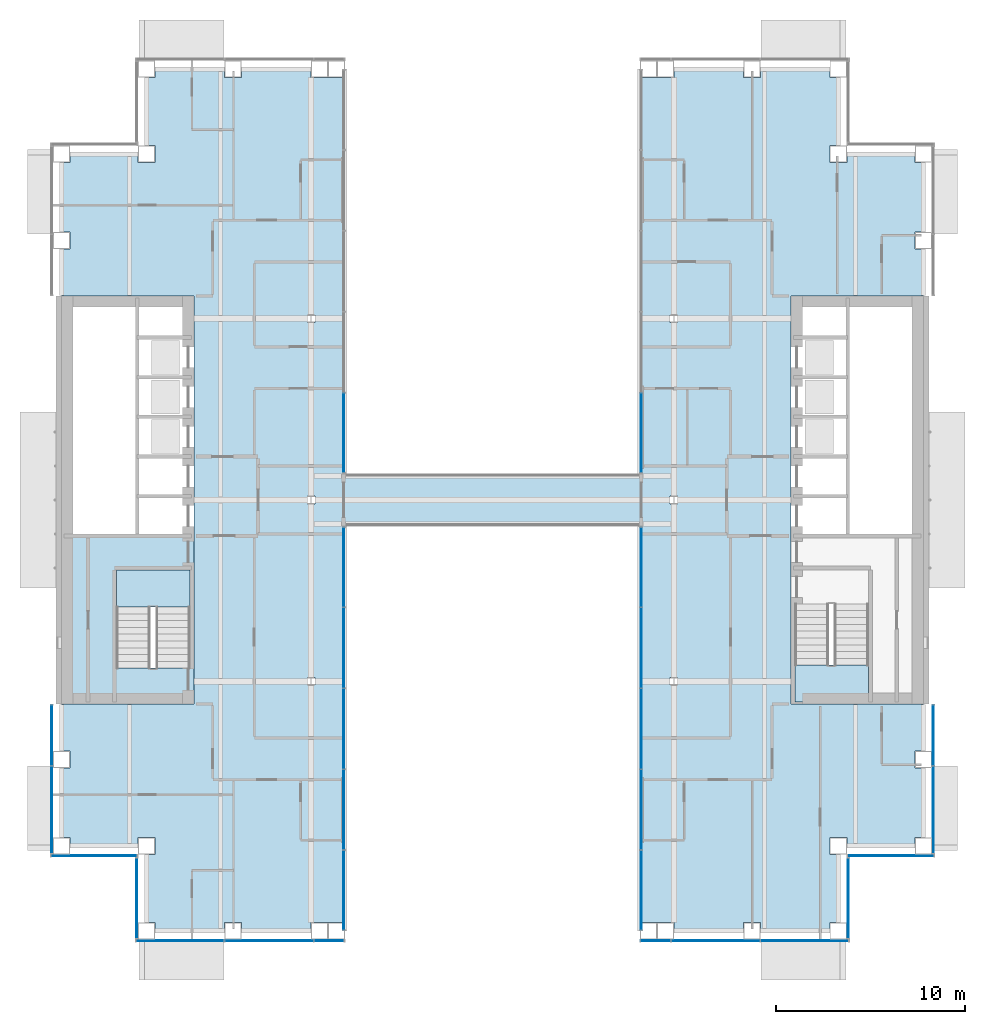
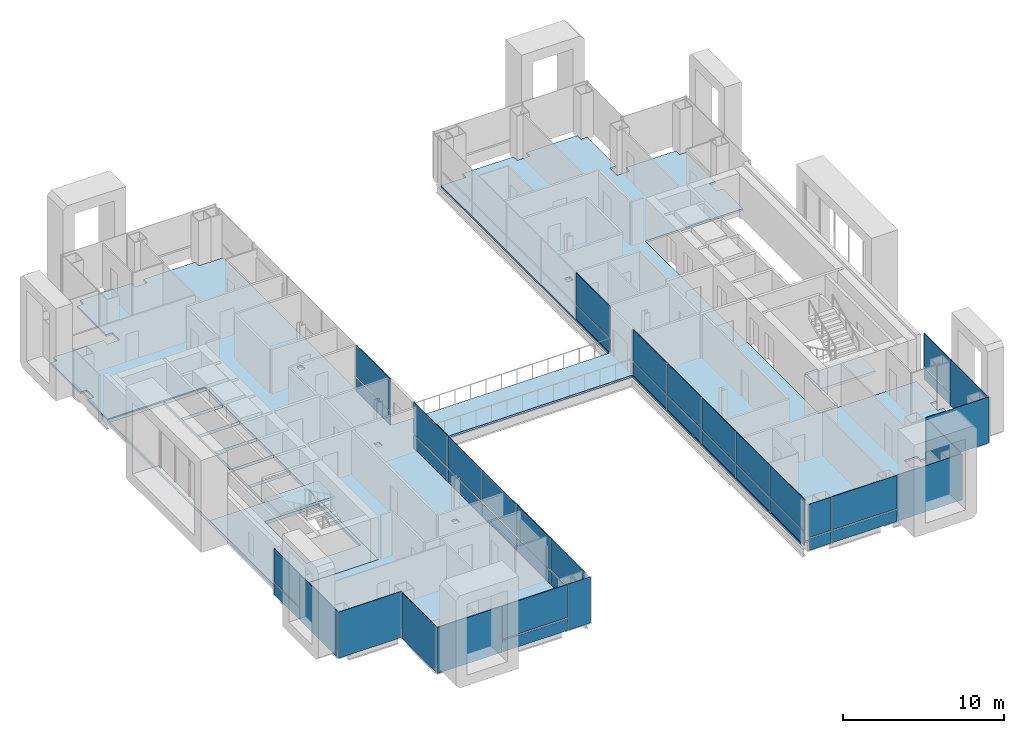
# One storey, part 10 of 20: 43 plates, 4 slabs, 14 elements without a shape of their own.
"""IFC4 building model written with IfcOpenShell, lengths in metres."""

from ifc_helpers import new_model, si_unit, direction, frame, origin, origin_2d, place, context, subcontext, project, spatial, polyline, rectangle, outline, extrude, material, layer, layer_set, type_object, element, aggregate, save


model = new_model("IFC4")

# Units and contexts
model_context = context("Model", 3, precision=1e-05, world=origin(), true_north=direction((0.0, 1.0)))
body_context = subcontext(model_context, "Body", "Model", "MODEL_VIEW")
ifc_project = project(units=[si_unit("LENGTHUNIT", "METRE"), si_unit("AREAUNIT", "SQUARE_METRE"), si_unit("VOLUMEUNIT", "CUBIC_METRE"), si_unit("PLANEANGLEUNIT", "RADIAN"), si_unit("MASSUNIT", "GRAM", prefix="KILO")], contexts=[model_context])

# Site, building, storey
site_placement = place(None, origin())
site = spatial("IfcSite", under=ifc_project, at=site_placement, CompositionType="ELEMENT")
building_placement = place(site_placement, origin())
building = spatial("IfcBuilding", under=site, at=building_placement, Name="Cobrizo Arcos Hotel Tower", CompositionType="ELEMENT")
storey_placement = place(building_placement, frame((0.0, 0.0, 124.0)))
storey = spatial("IfcBuildingStorey", under=building, at=storey_placement, Name="L31", CompositionType="ELEMENT", Elevation=124.0)

# Curtain wall, plate
ifc_material_1 = material(Name="Aluminium 6063-T6 anodised bronze", Category="aluminium")
curtain_wall_type_1 = type_object("IfcCurtainWallType", Name="CW-A guest facade", PredefinedType="NOTDEFINED", material=ifc_material_1)
curtain_wall_1_placement = place(storey_placement, origin())
curtain_wall_1 = element("IfcCurtainWall", 1, at=curtain_wall_1_placement, inside=storey, type_object=curtain_wall_type_1, Name="CW-A L31 S face", PredefinedType="NOTDEFINED")
ifc_material_2 = material(Name="Glass clear laminated low-e", Category="glass")
ifc_layer_1 = layer(ifc_material_2, 0.0400390625)
ifc_layer_set_1 = layer_set([ifc_layer_1], Name="CW-A glass panel")
plate_type_1 = type_object("IfcPlateType", Name="CW-A glass panel", PredefinedType="CURTAIN_PANEL", material=ifc_layer_set_1)
plate_1_placement = place(storey_placement, frame((-11.8125, -23.324951171875, 0.990234375), z_axis=(0.0, 0.0, 1.0), x_axis=(1.0, 0.0, 0.0)))
plate_1 = element("IfcPlate", 2, at=plate_1_placement, type_object=plate_type_1, Name="CW-A glass panel 1164", PredefinedType="CURTAIN_PANEL", context=body_context, shape_type="SweptSolid", body=[
    extrude(rectangle(XDim=4.6650390625, YDim=0.0400390625, at=origin_2d()), origin(), (0.0, 0.0, 1.0), 2.510009765625),
])

# Curtain wall, plates
curtain_wall_2_placement = place(storey_placement, origin())
curtain_wall_2 = element("IfcCurtainWall", 3, at=curtain_wall_2_placement, inside=storey, type_object=curtain_wall_type_1, Name="CW-A L31 S face", PredefinedType="NOTDEFINED")
plate_2_placement = place(storey_placement, frame((8.639892578125, -23.324951171875, 0.990234375), z_axis=(0.0, 0.0, 1.0), x_axis=(1.0, 0.0, 0.0)))
plate_2 = element("IfcPlate", 4, at=plate_2_placement, type_object=plate_type_1, Name="CW-A glass panel 1166", PredefinedType="CURTAIN_PANEL", context=body_context, shape_type="SweptSolid", body=[
    extrude(rectangle(XDim=1.56005859375, YDim=0.0400390625, at=origin_2d()), origin(), (0.0, 0.0, 1.0), 2.510009765625),
])
plate_3_placement = place(storey_placement, frame((11.8125, -23.324951171875, 0.990234375), z_axis=(0.0, 0.0, 1.0), x_axis=(1.0, 0.0, 0.0)))
plate_3 = element("IfcPlate", 5, at=plate_3_placement, type_object=plate_type_1, Name="CW-A glass panel 1167", PredefinedType="CURTAIN_PANEL", context=body_context, shape_type="SweptSolid", body=[
    extrude(rectangle(XDim=4.6650390625, YDim=0.0400390625, at=origin_2d()), origin(), (0.0, 0.0, 1.0), 2.510009765625),
])

# Curtain wall, plate
curtain_wall_3_placement = place(storey_placement, origin())
curtain_wall_3 = element("IfcCurtainWall", 6, at=curtain_wall_3_placement, inside=storey, type_object=curtain_wall_type_1, Name="CW-A L31 E face", PredefinedType="NOTDEFINED")
plate_4_placement = place(storey_placement, frame((23.324951171875, -12.4462890625, 0.990234375), z_axis=(0.0, 0.0, 1.0), x_axis=(0.0, 1.0, 0.0)))
plate_4 = element("IfcPlate", 7, at=plate_4_placement, type_object=plate_type_1, Name="CW-A glass panel 1172", PredefinedType="CURTAIN_PANEL", context=body_context, shape_type="SweptSolid", body=[
    extrude(rectangle(XDim=3.172607421875, YDim=0.0400390625, at=origin_2d()), origin(), (0.0, 0.0, 1.0), 2.510009765625),
])

curtain_wall_4_placement = place(storey_placement, origin())
curtain_wall_4 = element("IfcCurtainWall", 8, at=curtain_wall_4_placement, inside=storey, type_object=curtain_wall_type_1, Name="CW-A L31 W face", PredefinedType="NOTDEFINED")
plate_5_placement = place(storey_placement, frame((-23.324951171875, -12.4462890625, 0.990234375), z_axis=(0.0, 0.0, 1.0), x_axis=(0.0, -1.0, 0.0)))
plate_5 = element("IfcPlate", 9, at=plate_5_placement, type_object=plate_type_1, Name="CW-A glass panel 1187", PredefinedType="CURTAIN_PANEL", context=body_context, shape_type="SweptSolid", body=[
    extrude(rectangle(XDim=3.172607421875, YDim=0.0400390625, at=origin_2d()), origin(), (0.0, 0.0, 1.0), 2.510009765625),
])

# Plate
ifc_material_3 = material(Name="Aluminium composite panel pale metal", Category="aluminium")
ifc_layer_2 = layer(ifc_material_3, 0.0400390625)
ifc_layer_set_2 = layer_set([ifc_layer_2], Name="CW-A spandrel panel")
plate_type_2 = type_object("IfcPlateType", Name="CW-A spandrel panel", PredefinedType="CURTAIN_PANEL", material=ifc_layer_set_2)
plate_6_placement = place(storey_placement, frame((-16.5224609375, -23.324951171875, 0.0), z_axis=(0.0, 0.0, 1.0), x_axis=(1.0, 0.0, 0.0)))
plate_6 = element("IfcPlate", 10, at=plate_6_placement, type_object=plate_type_2, Name="CW-A spandrel panel 1163", PredefinedType="CURTAIN_PANEL", context=body_context, shape_type="SweptSolid", body=[
    extrude(rectangle(XDim=4.635009765625, YDim=0.0400390625, at=origin_2d()), origin(), (0.0, 0.0, 1.0), 3.5),
])

plate_7_placement = place(storey_placement, frame((-11.8125, -23.324951171875, 0.0), z_axis=(0.0, 0.0, 1.0), x_axis=(1.0, 0.0, 0.0)))
plate_7 = element("IfcPlate", 11, at=plate_7_placement, type_object=plate_type_2, Name="CW-A spandrel panel 1164", PredefinedType="CURTAIN_PANEL", context=body_context, shape_type="SweptSolid", body=[
    extrude(rectangle(XDim=4.6650390625, YDim=0.0400390625, at=origin_2d()), origin(), (0.0, 0.0, 1.0), 0.8701171875),
])

plate_8_placement = place(storey_placement, frame((-8.639892578125, -23.324951171875, 0.0), z_axis=(0.0, 0.0, 1.0), x_axis=(1.0, 0.0, 0.0)))
plate_8 = element("IfcPlate", 12, at=plate_8_placement, type_object=plate_type_2, Name="CW-A spandrel panel 1165", PredefinedType="CURTAIN_PANEL", context=body_context, shape_type="SweptSolid", body=[
    extrude(rectangle(XDim=1.56005859375, YDim=0.0400390625, at=origin_2d()), origin(), (0.0, 0.0, 1.0), 3.5),
])

aggregate(curtain_wall_1, [plate_6, plate_7, plate_1, plate_8])

plate_9_placement = place(storey_placement, frame((8.639892578125, -23.324951171875, 0.0), z_axis=(0.0, 0.0, 1.0), x_axis=(1.0, 0.0, 0.0)))
plate_9 = element("IfcPlate", 13, at=plate_9_placement, type_object=plate_type_2, Name="CW-A spandrel panel 1166", PredefinedType="CURTAIN_PANEL", context=body_context, shape_type="SweptSolid", body=[
    extrude(rectangle(XDim=1.56005859375, YDim=0.0400390625, at=origin_2d()), origin(), (0.0, 0.0, 1.0), 0.8701171875),
])

plate_10_placement = place(storey_placement, frame((11.8125, -23.324951171875, 0.0), z_axis=(0.0, 0.0, 1.0), x_axis=(1.0, 0.0, 0.0)))
plate_10 = element("IfcPlate", 14, at=plate_10_placement, type_object=plate_type_2, Name="CW-A spandrel panel 1167", PredefinedType="CURTAIN_PANEL", context=body_context, shape_type="SweptSolid", body=[
    extrude(rectangle(XDim=4.6650390625, YDim=0.0400390625, at=origin_2d()), origin(), (0.0, 0.0, 1.0), 0.8701171875),
])

plate_11_placement = place(storey_placement, frame((16.5224609375, -23.324951171875, 0.0), z_axis=(0.0, 0.0, 1.0), x_axis=(1.0, 0.0, 0.0)))
plate_11 = element("IfcPlate", 15, at=plate_11_placement, type_object=plate_type_2, Name="CW-A spandrel panel 1168", PredefinedType="CURTAIN_PANEL", context=body_context, shape_type="SweptSolid", body=[
    extrude(rectangle(XDim=4.635009765625, YDim=0.0400390625, at=origin_2d()), origin(), (0.0, 0.0, 1.0), 3.5),
])

aggregate(curtain_wall_2, [plate_9, plate_2, plate_10, plate_3, plate_11])

# Curtain wall, plate
curtain_wall_5_placement = place(storey_placement, origin())
curtain_wall_5 = element("IfcCurtainWall", 16, at=curtain_wall_5_placement, inside=storey, type_object=curtain_wall_type_1, Name="CW-A L31 E face", PredefinedType="NOTDEFINED")
plate_12_placement = place(storey_placement, frame((18.824951171875, -21.074951171875, 0.0), z_axis=(0.0, 0.0, 1.0), x_axis=(0.0, 1.0, 0.0)))
plate_12 = element("IfcPlate", 17, at=plate_12_placement, type_object=plate_type_2, Name="CW-A spandrel panel 1169", PredefinedType="CURTAIN_PANEL", context=body_context, shape_type="SweptSolid", body=[
    extrude(rectangle(XDim=4.22998046875, YDim=0.0400390625, at=origin_2d()), origin(), (0.0, 0.0, 1.0), 3.5),
])
aggregate(curtain_wall_5, [plate_12])

curtain_wall_6_placement = place(storey_placement, origin())
curtain_wall_6 = element("IfcCurtainWall", 18, at=curtain_wall_6_placement, inside=storey, type_object=curtain_wall_type_1, Name="CW-A L31 S face", PredefinedType="NOTDEFINED")
plate_13_placement = place(storey_placement, frame((21.074951171875, -18.824951171875, 0.0), z_axis=(0.0, 0.0, 1.0), x_axis=(1.0, 0.0, 0.0)))
plate_13 = element("IfcPlate", 19, at=plate_13_placement, type_object=plate_type_2, Name="CW-A spandrel panel 1170", PredefinedType="CURTAIN_PANEL", context=body_context, shape_type="SweptSolid", body=[
    extrude(rectangle(XDim=4.530029296875, YDim=0.0400390625, at=origin_2d()), origin(), (0.0, 0.0, 1.0), 3.5),
])
aggregate(curtain_wall_6, [plate_13])

# Plate
plate_14_placement = place(storey_placement, frame((23.324951171875, -16.391357421875, 0.0), z_axis=(0.0, 0.0, 1.0), x_axis=(0.0, 1.0, 0.0)))
plate_14 = element("IfcPlate", 20, at=plate_14_placement, type_object=plate_type_2, Name="CW-A spandrel panel 1171", PredefinedType="CURTAIN_PANEL", context=body_context, shape_type="SweptSolid", body=[
    extrude(rectangle(XDim=4.597412109375, YDim=0.0400390625, at=origin_2d()), origin(), (0.0, 0.0, 1.0), 3.5),
])

plate_15_placement = place(storey_placement, frame((23.324951171875, -12.4462890625, 0.0), z_axis=(0.0, 0.0, 1.0), x_axis=(0.0, 1.0, 0.0)))
plate_15 = element("IfcPlate", 21, at=plate_15_placement, type_object=plate_type_2, Name="CW-A spandrel panel 1172", PredefinedType="CURTAIN_PANEL", context=body_context, shape_type="SweptSolid", body=[
    extrude(rectangle(XDim=3.172607421875, YDim=0.0400390625, at=origin_2d()), origin(), (0.0, 0.0, 1.0), 0.8701171875),
])

aggregate(curtain_wall_3, [plate_14, plate_15, plate_4])

plate_16_placement = place(storey_placement, frame((-23.324951171875, -12.4462890625, 0.0), z_axis=(0.0, 0.0, 1.0), x_axis=(0.0, -1.0, 0.0)))
plate_16 = element("IfcPlate", 22, at=plate_16_placement, type_object=plate_type_2, Name="CW-A spandrel panel 1187", PredefinedType="CURTAIN_PANEL", context=body_context, shape_type="SweptSolid", body=[
    extrude(rectangle(XDim=3.172607421875, YDim=0.0400390625, at=origin_2d()), origin(), (0.0, 0.0, 1.0), 0.8701171875),
])

plate_17_placement = place(storey_placement, frame((-23.324951171875, -16.391357421875, 0.0), z_axis=(0.0, 0.0, 1.0), x_axis=(0.0, -1.0, 0.0)))
plate_17 = element("IfcPlate", 23, at=plate_17_placement, type_object=plate_type_2, Name="CW-A spandrel panel 1188", PredefinedType="CURTAIN_PANEL", context=body_context, shape_type="SweptSolid", body=[
    extrude(rectangle(XDim=4.597412109375, YDim=0.0400390625, at=origin_2d()), origin(), (0.0, 0.0, 1.0), 3.5),
])

aggregate(curtain_wall_4, [plate_16, plate_5, plate_17])

# Curtain wall, plate
curtain_wall_7_placement = place(storey_placement, origin())
curtain_wall_7 = element("IfcCurtainWall", 24, at=curtain_wall_7_placement, inside=storey, type_object=curtain_wall_type_1, Name="CW-A L31 S face", PredefinedType="NOTDEFINED")
plate_18_placement = place(storey_placement, frame((-21.074951171875, -18.824951171875, 0.0), z_axis=(0.0, 0.0, 1.0), x_axis=(1.0, 0.0, 0.0)))
plate_18 = element("IfcPlate", 25, at=plate_18_placement, type_object=plate_type_2, Name="CW-A spandrel panel 1189", PredefinedType="CURTAIN_PANEL", context=body_context, shape_type="SweptSolid", body=[
    extrude(rectangle(XDim=4.530029296875, YDim=0.0400390625, at=origin_2d()), origin(), (0.0, 0.0, 1.0), 3.5),
])
aggregate(curtain_wall_7, [plate_18])

curtain_wall_8_placement = place(storey_placement, origin())
curtain_wall_8 = element("IfcCurtainWall", 26, at=curtain_wall_8_placement, inside=storey, type_object=curtain_wall_type_1, Name="CW-A L31 W face", PredefinedType="NOTDEFINED")
plate_19_placement = place(storey_placement, frame((-18.824951171875, -21.074951171875, 0.0), z_axis=(0.0, 0.0, 1.0), x_axis=(0.0, -1.0, 0.0)))
plate_19 = element("IfcPlate", 27, at=plate_19_placement, type_object=plate_type_2, Name="CW-A spandrel panel 1190", PredefinedType="CURTAIN_PANEL", context=body_context, shape_type="SweptSolid", body=[
    extrude(rectangle(XDim=4.22998046875, YDim=0.0400390625, at=origin_2d()), origin(), (0.0, 0.0, 1.0), 3.5),
])
aggregate(curtain_wall_8, [plate_19])

# Curtain wall, plates
curtain_wall_type_2 = type_object("IfcCurtainWallType", Name="CW-F void screen", PredefinedType="NOTDEFINED", material=ifc_material_1)
curtain_wall_9_placement = place(storey_placement, origin())
curtain_wall_9 = element("IfcCurtainWall", 28, at=curtain_wall_9_placement, inside=storey, type_object=curtain_wall_type_2, Name="CW-F L31 void screen B", PredefinedType="NOTDEFINED")
ifc_layer_3 = layer(ifc_material_2, 0.0400390625)
ifc_layer_set_3 = layer_set([ifc_layer_3], Name="CW-F glass panel")
plate_type_3 = type_object("IfcPlateType", Name="CW-F glass panel", PredefinedType="CURTAIN_PANEL", material=ifc_layer_set_3)
plate_20_placement = place(storey_placement, frame((7.875, -20.64501953125, 0.0), z_axis=(0.0, 0.0, 1.0), x_axis=(0.0, 1.0, 0.0)))
plate_20 = element("IfcPlate", 29, at=plate_20_placement, type_object=plate_type_3, Name="CW-F glass panel 2606", PredefinedType="CURTAIN_PANEL", context=body_context, shape_type="SweptSolid", body=[
    extrude(rectangle(XDim=4.18994140625, YDim=0.0400390625, at=origin_2d()), origin(), (0.0, 0.0, 1.0), 0.989990234375),
])
plate_21_placement = place(storey_placement, frame((7.875, -20.64501953125, 1.10986328125), z_axis=(0.0, 0.0, 1.0), x_axis=(0.0, 1.0, 0.0)))
plate_21 = element("IfcPlate", 30, at=plate_21_placement, type_object=plate_type_3, Name="CW-F glass panel 2606", PredefinedType="CURTAIN_PANEL", context=body_context, shape_type="SweptSolid", body=[
    extrude(rectangle(XDim=4.18994140625, YDim=0.0400390625, at=origin_2d()), origin(), (0.0, 0.0, 1.0), 2.389892578125),
])
plate_22_placement = place(storey_placement, frame((7.875, -16.3798828125, 0.0), z_axis=(0.0, 0.0, 1.0), x_axis=(0.0, 1.0, 0.0)))
plate_22 = element("IfcPlate", 31, at=plate_22_placement, type_object=plate_type_3, Name="CW-F glass panel 2607", PredefinedType="CURTAIN_PANEL", context=body_context, shape_type="SweptSolid", body=[
    extrude(rectangle(XDim=4.219970703125, YDim=0.0400390625, at=origin_2d()), origin(), (0.0, 0.0, 1.0), 0.989990234375),
])
plate_23_placement = place(storey_placement, frame((7.875, -16.3798828125, 1.10986328125), z_axis=(0.0, 0.0, 1.0), x_axis=(0.0, 1.0, 0.0)))
plate_23 = element("IfcPlate", 32, at=plate_23_placement, type_object=plate_type_3, Name="CW-F glass panel 2607", PredefinedType="CURTAIN_PANEL", context=body_context, shape_type="SweptSolid", body=[
    extrude(rectangle(XDim=4.219970703125, YDim=0.0400390625, at=origin_2d()), origin(), (0.0, 0.0, 1.0), 2.389892578125),
])
plate_24_placement = place(storey_placement, frame((7.875, -12.10009765625, 0.0), z_axis=(0.0, 0.0, 1.0), x_axis=(0.0, 1.0, 0.0)))
plate_24 = element("IfcPlate", 33, at=plate_24_placement, type_object=plate_type_3, Name="CW-F glass panel 2608", PredefinedType="CURTAIN_PANEL", context=body_context, shape_type="SweptSolid", body=[
    extrude(rectangle(XDim=4.219970703125, YDim=0.0400390625, at=origin_2d()), origin(), (0.0, 0.0, 1.0), 0.989990234375),
])
plate_25_placement = place(storey_placement, frame((7.875, -12.10009765625, 1.10986328125), z_axis=(0.0, 0.0, 1.0), x_axis=(0.0, 1.0, 0.0)))
plate_25 = element("IfcPlate", 34, at=plate_25_placement, type_object=plate_type_3, Name="CW-F glass panel 2608", PredefinedType="CURTAIN_PANEL", context=body_context, shape_type="SweptSolid", body=[
    extrude(rectangle(XDim=4.219970703125, YDim=0.0400390625, at=origin_2d()), origin(), (0.0, 0.0, 1.0), 2.389892578125),
])
plate_26_placement = place(storey_placement, frame((7.875, -7.820068359375, 0.0), z_axis=(0.0, 0.0, 1.0), x_axis=(0.0, 1.0, 0.0)))
plate_26 = element("IfcPlate", 35, at=plate_26_placement, type_object=plate_type_3, Name="CW-F glass panel 2609", PredefinedType="CURTAIN_PANEL", context=body_context, shape_type="SweptSolid", body=[
    extrude(rectangle(XDim=4.219970703125, YDim=0.0400390625, at=origin_2d()), origin(), (0.0, 0.0, 1.0), 0.989990234375),
])
plate_27_placement = place(storey_placement, frame((7.875, -7.820068359375, 1.10986328125), z_axis=(0.0, 0.0, 1.0), x_axis=(0.0, 1.0, 0.0)))
plate_27 = element("IfcPlate", 36, at=plate_27_placement, type_object=plate_type_3, Name="CW-F glass panel 2609", PredefinedType="CURTAIN_PANEL", context=body_context, shape_type="SweptSolid", body=[
    extrude(rectangle(XDim=4.219970703125, YDim=0.0400390625, at=origin_2d()), origin(), (0.0, 0.0, 1.0), 2.389892578125),
])
plate_28_placement = place(storey_placement, frame((7.875, -3.554931640625, 0.0), z_axis=(0.0, 0.0, 1.0), x_axis=(0.0, 1.0, 0.0)))
plate_28 = element("IfcPlate", 37, at=plate_28_placement, type_object=plate_type_3, Name="CW-F glass panel 2610", PredefinedType="CURTAIN_PANEL", context=body_context, shape_type="SweptSolid", body=[
    extrude(rectangle(XDim=4.18994140625, YDim=0.0400390625, at=origin_2d()), origin(), (0.0, 0.0, 1.0), 0.989990234375),
])
plate_29_placement = place(storey_placement, frame((7.875, -3.554931640625, 1.10986328125), z_axis=(0.0, 0.0, 1.0), x_axis=(0.0, 1.0, 0.0)))
plate_29 = element("IfcPlate", 38, at=plate_29_placement, type_object=plate_type_3, Name="CW-F glass panel 2610", PredefinedType="CURTAIN_PANEL", context=body_context, shape_type="SweptSolid", body=[
    extrude(rectangle(XDim=4.18994140625, YDim=0.0400390625, at=origin_2d()), origin(), (0.0, 0.0, 1.0), 2.389892578125),
])
aggregate(curtain_wall_9, [plate_20, plate_21, plate_22, plate_23, plate_24, plate_25, plate_26, plate_27, plate_28, plate_29])

curtain_wall_10_placement = place(storey_placement, origin())
curtain_wall_10 = element("IfcCurtainWall", 39, at=curtain_wall_10_placement, inside=storey, type_object=curtain_wall_type_2, Name="CW-F L31 void screen B", PredefinedType="NOTDEFINED")
plate_30_placement = place(storey_placement, frame((7.875, 3.554931640625, 0.0), z_axis=(0.0, 0.0, 1.0), x_axis=(0.0, 1.0, 0.0)))
plate_30 = element("IfcPlate", 40, at=plate_30_placement, type_object=plate_type_3, Name="CW-F glass panel 2611", PredefinedType="CURTAIN_PANEL", context=body_context, shape_type="SweptSolid", body=[
    extrude(rectangle(XDim=4.18994140625, YDim=0.0400390625, at=origin_2d()), origin(), (0.0, 0.0, 1.0), 0.989990234375),
])
plate_31_placement = place(storey_placement, frame((7.875, 3.554931640625, 1.10986328125), z_axis=(0.0, 0.0, 1.0), x_axis=(0.0, 1.0, 0.0)))
plate_31 = element("IfcPlate", 41, at=plate_31_placement, type_object=plate_type_3, Name="CW-F glass panel 2611", PredefinedType="CURTAIN_PANEL", context=body_context, shape_type="SweptSolid", body=[
    extrude(rectangle(XDim=4.18994140625, YDim=0.0400390625, at=origin_2d()), origin(), (0.0, 0.0, 1.0), 2.389892578125),
])
aggregate(curtain_wall_10, [plate_30, plate_31])

curtain_wall_11_placement = place(storey_placement, origin())
curtain_wall_11 = element("IfcCurtainWall", 42, at=curtain_wall_11_placement, inside=storey, type_object=curtain_wall_type_2, Name="CW-F L31 void screen B", PredefinedType="NOTDEFINED")
plate_32_placement = place(storey_placement, frame((-7.875, 3.554931640625, 0.0), z_axis=(0.0, 0.0, 1.0), x_axis=(0.0, -1.0, 0.0)))
plate_32 = element("IfcPlate", 43, at=plate_32_placement, type_object=plate_type_3, Name="CW-F glass panel 2620", PredefinedType="CURTAIN_PANEL", context=body_context, shape_type="SweptSolid", body=[
    extrude(rectangle(XDim=4.18994140625, YDim=0.0400390625, at=origin_2d()), origin(), (0.0, 0.0, 1.0), 0.989990234375),
])
plate_33_placement = place(storey_placement, frame((-7.875, 3.554931640625, 1.10986328125), z_axis=(0.0, 0.0, 1.0), x_axis=(0.0, -1.0, 0.0)))
plate_33 = element("IfcPlate", 44, at=plate_33_placement, type_object=plate_type_3, Name="CW-F glass panel 2620", PredefinedType="CURTAIN_PANEL", context=body_context, shape_type="SweptSolid", body=[
    extrude(rectangle(XDim=4.18994140625, YDim=0.0400390625, at=origin_2d()), origin(), (0.0, 0.0, 1.0), 2.389892578125),
])
aggregate(curtain_wall_11, [plate_32, plate_33])

curtain_wall_12_placement = place(storey_placement, origin())
curtain_wall_12 = element("IfcCurtainWall", 45, at=curtain_wall_12_placement, inside=storey, type_object=curtain_wall_type_2, Name="CW-F L31 void screen B", PredefinedType="NOTDEFINED")
plate_34_placement = place(storey_placement, frame((-7.875, -3.554931640625, 0.0), z_axis=(0.0, 0.0, 1.0), x_axis=(0.0, -1.0, 0.0)))
plate_34 = element("IfcPlate", 46, at=plate_34_placement, type_object=plate_type_3, Name="CW-F glass panel 2621", PredefinedType="CURTAIN_PANEL", context=body_context, shape_type="SweptSolid", body=[
    extrude(rectangle(XDim=4.18994140625, YDim=0.0400390625, at=origin_2d()), origin(), (0.0, 0.0, 1.0), 0.989990234375),
])
plate_35_placement = place(storey_placement, frame((-7.875, -3.554931640625, 1.10986328125), z_axis=(0.0, 0.0, 1.0), x_axis=(0.0, -1.0, 0.0)))
plate_35 = element("IfcPlate", 47, at=plate_35_placement, type_object=plate_type_3, Name="CW-F glass panel 2621", PredefinedType="CURTAIN_PANEL", context=body_context, shape_type="SweptSolid", body=[
    extrude(rectangle(XDim=4.18994140625, YDim=0.0400390625, at=origin_2d()), origin(), (0.0, 0.0, 1.0), 2.389892578125),
])
plate_36_placement = place(storey_placement, frame((-7.875, -7.820068359375, 0.0), z_axis=(0.0, 0.0, 1.0), x_axis=(0.0, -1.0, 0.0)))
plate_36 = element("IfcPlate", 48, at=plate_36_placement, type_object=plate_type_3, Name="CW-F glass panel 2622", PredefinedType="CURTAIN_PANEL", context=body_context, shape_type="SweptSolid", body=[
    extrude(rectangle(XDim=4.219970703125, YDim=0.0400390625, at=origin_2d()), origin(), (0.0, 0.0, 1.0), 0.989990234375),
])
plate_37_placement = place(storey_placement, frame((-7.875, -7.820068359375, 1.10986328125), z_axis=(0.0, 0.0, 1.0), x_axis=(0.0, -1.0, 0.0)))
plate_37 = element("IfcPlate", 49, at=plate_37_placement, type_object=plate_type_3, Name="CW-F glass panel 2622", PredefinedType="CURTAIN_PANEL", context=body_context, shape_type="SweptSolid", body=[
    extrude(rectangle(XDim=4.219970703125, YDim=0.0400390625, at=origin_2d()), origin(), (0.0, 0.0, 1.0), 2.389892578125),
])
plate_38_placement = place(storey_placement, frame((-7.875, -12.10009765625, 0.0), z_axis=(0.0, 0.0, 1.0), x_axis=(0.0, -1.0, 0.0)))
plate_38 = element("IfcPlate", 50, at=plate_38_placement, type_object=plate_type_3, Name="CW-F glass panel 2623", PredefinedType="CURTAIN_PANEL", context=body_context, shape_type="SweptSolid", body=[
    extrude(rectangle(XDim=4.219970703125, YDim=0.0400390625, at=origin_2d()), origin(), (0.0, 0.0, 1.0), 0.989990234375),
])
plate_39_placement = place(storey_placement, frame((-7.875, -12.10009765625, 1.10986328125), z_axis=(0.0, 0.0, 1.0), x_axis=(0.0, -1.0, 0.0)))
plate_39 = element("IfcPlate", 51, at=plate_39_placement, type_object=plate_type_3, Name="CW-F glass panel 2623", PredefinedType="CURTAIN_PANEL", context=body_context, shape_type="SweptSolid", body=[
    extrude(rectangle(XDim=4.219970703125, YDim=0.0400390625, at=origin_2d()), origin(), (0.0, 0.0, 1.0), 2.389892578125),
])
plate_40_placement = place(storey_placement, frame((-7.875, -16.3798828125, 0.0), z_axis=(0.0, 0.0, 1.0), x_axis=(0.0, -1.0, 0.0)))
plate_40 = element("IfcPlate", 52, at=plate_40_placement, type_object=plate_type_3, Name="CW-F glass panel 2624", PredefinedType="CURTAIN_PANEL", context=body_context, shape_type="SweptSolid", body=[
    extrude(rectangle(XDim=4.219970703125, YDim=0.0400390625, at=origin_2d()), origin(), (0.0, 0.0, 1.0), 0.989990234375),
])
plate_41_placement = place(storey_placement, frame((-7.875, -16.3798828125, 1.10986328125), z_axis=(0.0, 0.0, 1.0), x_axis=(0.0, -1.0, 0.0)))
plate_41 = element("IfcPlate", 53, at=plate_41_placement, type_object=plate_type_3, Name="CW-F glass panel 2624", PredefinedType="CURTAIN_PANEL", context=body_context, shape_type="SweptSolid", body=[
    extrude(rectangle(XDim=4.219970703125, YDim=0.0400390625, at=origin_2d()), origin(), (0.0, 0.0, 1.0), 2.389892578125),
])
plate_42_placement = place(storey_placement, frame((-7.875, -20.64501953125, 0.0), z_axis=(0.0, 0.0, 1.0), x_axis=(0.0, -1.0, 0.0)))
plate_42 = element("IfcPlate", 54, at=plate_42_placement, type_object=plate_type_3, Name="CW-F glass panel 2625", PredefinedType="CURTAIN_PANEL", context=body_context, shape_type="SweptSolid", body=[
    extrude(rectangle(XDim=4.18994140625, YDim=0.0400390625, at=origin_2d()), origin(), (0.0, 0.0, 1.0), 0.989990234375),
])
plate_43_placement = place(storey_placement, frame((-7.875, -20.64501953125, 1.10986328125), z_axis=(0.0, 0.0, 1.0), x_axis=(0.0, -1.0, 0.0)))
plate_43 = element("IfcPlate", 55, at=plate_43_placement, type_object=plate_type_3, Name="CW-F glass panel 2625", PredefinedType="CURTAIN_PANEL", context=body_context, shape_type="SweptSolid", body=[
    extrude(rectangle(XDim=4.18994140625, YDim=0.0400390625, at=origin_2d()), origin(), (0.0, 0.0, 1.0), 2.389892578125),
])
aggregate(curtain_wall_12, [plate_34, plate_35, plate_36, plate_37, plate_38, plate_39, plate_40, plate_41, plate_42, plate_43])

# Slabs
ifc_material_4 = material(Name="Concrete f'c 35 MPa", Category="concrete")
ifc_layer_4 = layer(ifc_material_4, 0.14990234375)
ifc_layer_set_4 = layer_set([ifc_layer_4], Name="Composite floor slab 150 f'c 35")
slab_type_1 = type_object("IfcSlabType", Name="Composite floor slab 150 f'c 35", PredefinedType="FLOOR", material=ifc_layer_set_4)
slab_1_placement = place(storey_placement, frame((0.0, 0.0, -0.14990234375)))
element("IfcSlab", 56, at=slab_1_placement, inside=storey, type_object=slab_type_1, Name="Floor slab S5, L31, no. 01", PredefinedType="FLOOR", context=body_context, shape_type="SweptSolid", body=[
    extrude(outline(polyline([(22.35009765625, 18.300048828125), (22.35009765625, 17.85009765625), (22.800048828125, 17.85009765625), (22.800048828125, 14.175048828125), (22.35009765625, 14.175048828125), (22.35009765625, 13.27490234375), (22.800048828125, 13.27490234375), (22.800048828125, 10.800048828125), (15.800048828125, 10.800048828125), (15.800048828125, -10.800048828125), (22.800048828125, -10.800048828125), (22.800048828125, -13.27490234375), (22.35009765625, -13.27490234375), (22.35009765625, -14.175048828125), (22.800048828125, -14.175048828125), (22.800048828125, -17.85009765625), (22.35009765625, -17.85009765625), (22.35009765625, -18.300048828125), (18.75, -18.300048828125), (18.75, -17.85009765625), (17.85009765625, -17.85009765625), (17.85009765625, -18.75), (18.300048828125, -18.75), (18.300048828125, -22.35009765625), (17.85009765625, -22.35009765625), (17.85009765625, -22.800048828125), (14.175048828125, -22.800048828125), (14.175048828125, -22.35009765625), (13.27490234375, -22.35009765625), (13.27490234375, -22.800048828125), (9.60009765625, -22.800048828125), (9.60009765625, -22.35009765625), (8.699951171875, -22.35009765625), (7.800048828125, -22.35009765625), (7.800048828125, -22.800048828125), (7.800048828125, -22.800048828125), (7.800048828125, -1.39990234375), (-7.800048828125, -1.39990234375), (-7.800048828125, -22.800048828125), (-7.800048828125, -22.800048828125), (-7.800048828125, -22.35009765625), (-8.699951171875, -22.35009765625), (-9.60009765625, -22.35009765625), (-9.60009765625, -22.800048828125), (-13.27490234375, -22.800048828125), (-13.27490234375, -22.35009765625), (-14.175048828125, -22.35009765625), (-14.175048828125, -22.800048828125), (-17.85009765625, -22.800048828125), (-17.85009765625, -22.35009765625), (-18.300048828125, -22.35009765625), (-18.300048828125, -18.75), (-17.85009765625, -18.75), (-17.85009765625, -17.85009765625), (-18.75, -17.85009765625), (-18.75, -18.300048828125), (-22.35009765625, -18.300048828125), (-22.35009765625, -17.85009765625), (-22.800048828125, -17.85009765625), (-22.800048828125, -14.175048828125), (-22.35009765625, -14.175048828125), (-22.35009765625, -13.27490234375), (-22.800048828125, -13.27490234375), (-22.800048828125, -10.800048828125), (-15.800048828125, -10.800048828125), (-15.800048828125, 10.800048828125), (-22.800048828125, 10.800048828125), (-22.800048828125, 13.27490234375), (-22.35009765625, 13.27490234375), (-22.35009765625, 14.175048828125), (-22.800048828125, 14.175048828125), (-22.800048828125, 17.85009765625), (-22.35009765625, 17.85009765625), (-22.35009765625, 18.300048828125), (-18.75, 18.300048828125), (-18.75, 17.85009765625), (-17.85009765625, 17.85009765625), (-17.85009765625, 18.75), (-18.300048828125, 18.75), (-18.300048828125, 22.35009765625), (-17.85009765625, 22.35009765625), (-17.85009765625, 22.800048828125), (-14.175048828125, 22.800048828125), (-14.175048828125, 22.35009765625), (-13.27490234375, 22.35009765625), (-13.27490234375, 22.800048828125), (-9.60009765625, 22.800048828125), (-9.60009765625, 22.35009765625), (-8.699951171875, 22.35009765625), (-7.800048828125, 22.35009765625), (-7.800048828125, 22.800048828125), (-7.800048828125, 22.800048828125), (-7.800048828125, 1.39990234375), (7.800048828125, 1.39990234375), (7.800048828125, 22.800048828125), (7.800048828125, 22.800048828125), (7.800048828125, 22.35009765625), (8.699951171875, 22.35009765625), (9.60009765625, 22.35009765625), (9.60009765625, 22.800048828125), (13.27490234375, 22.800048828125), (13.27490234375, 22.35009765625), (14.175048828125, 22.35009765625), (14.175048828125, 22.800048828125), (17.85009765625, 22.800048828125), (17.85009765625, 22.35009765625), (18.300048828125, 22.35009765625), (18.300048828125, 18.75), (17.85009765625, 18.75), (17.85009765625, 17.85009765625), (18.75, 17.85009765625), (18.75, 18.300048828125), (22.35009765625, 18.300048828125)]), holes=[polyline([(-9.79931640625, -9.79931640625), (-9.400634765625, -9.79931640625), (-9.400634765625, -9.400634765625), (-9.79931640625, -9.400634765625), (-9.79931640625, -9.79931640625)]), polyline([(-9.400634765625, -0.199462890625), (-9.400634765625, 0.199462890625), (-9.79931640625, 0.199462890625), (-9.79931640625, -0.199462890625), (-9.400634765625, -0.199462890625)]), polyline([(-9.400634765625, 9.400634765625), (-9.400634765625, 9.79931640625), (-9.79931640625, 9.79931640625), (-9.79931640625, 9.400634765625), (-9.400634765625, 9.400634765625)]), polyline([(9.400634765625, -9.79931640625), (9.79931640625, -9.79931640625), (9.79931640625, -9.400634765625), (9.400634765625, -9.400634765625), (9.400634765625, -9.79931640625)]), polyline([(9.400634765625, -0.199462890625), (9.79931640625, -0.199462890625), (9.79931640625, 0.199462890625), (9.400634765625, 0.199462890625), (9.400634765625, -0.199462890625)]), polyline([(9.79931640625, 9.400634765625), (9.79931640625, 9.79931640625), (9.400634765625, 9.79931640625), (9.400634765625, 9.400634765625), (9.79931640625, 9.400634765625)])]), origin(), (0.0, 0.0, 1.0), 0.14990234375),
])
ifc_material_5 = material(Name="Concrete f'c 50 MPa", Category="concrete")
ifc_layer_5 = layer(ifc_material_5, 0.25)
ifc_layer_set_5 = layer_set([ifc_layer_5], Name="RC core floor slab 250 f'c 50")
slab_type_2 = type_object("IfcSlabType", Name="RC core floor slab 250 f'c 50", PredefinedType="FLOOR", material=ifc_layer_set_5)
slab_2_placement = place(storey_placement, frame((0.0, 0.0, -0.25)))
element("IfcSlab", 57, at=slab_2_placement, inside=storey, type_object=slab_type_2, Name="Core floor slab CS5, west core, L31", PredefinedType="FLOOR", context=body_context, shape_type="SweptSolid", body=[
    extrude(outline(polyline([(-22.800048828125, 10.800048828125), (-15.800048828125, 10.800048828125), (-15.800048828125, -10.800048828125), (-22.800048828125, -10.800048828125), (-22.800048828125, 10.800048828125)]), holes=[polyline([(-19.89794921875, -3.701904296875), (-19.89794921875, -8.89794921875), (-16.001953125, -8.89794921875), (-16.001953125, -3.701904296875), (-19.89794921875, -3.701904296875)]), polyline([(-18.798095703125, 0.197998046875), (-18.798095703125, -1.89794921875), (-15.802001953125, -1.89794921875), (-15.802001953125, 0.197998046875), (-18.798095703125, 0.197998046875)]), polyline([(-15.802001953125, 2.298095703125), (-18.798095703125, 2.298095703125), (-18.798095703125, 0.201904296875), (-15.802001953125, 0.201904296875), (-15.802001953125, 2.298095703125)]), polyline([(-15.802001953125, 4.39794921875), (-18.798095703125, 4.39794921875), (-18.798095703125, 2.302001953125), (-15.802001953125, 2.302001953125), (-15.802001953125, 4.39794921875)]), polyline([(-18.802001953125, 10.697998046875), (-22.798095703125, 10.697998046875), (-22.798095703125, -1.89794921875), (-18.802001953125, -1.89794921875), (-18.802001953125, 10.697998046875)]), polyline([(-15.802001953125, 6.498046875), (-18.798095703125, 6.498046875), (-18.798095703125, 4.402099609375), (-15.802001953125, 4.402099609375), (-15.802001953125, 6.498046875)]), polyline([(-15.802001953125, 8.597900390625), (-18.798095703125, 8.597900390625), (-18.798095703125, 6.501953125), (-15.802001953125, 6.501953125), (-15.802001953125, 8.597900390625)]), polyline([(-15.802001953125, 10.697998046875), (-18.798095703125, 10.697998046875), (-18.798095703125, 8.60205078125), (-15.802001953125, 8.60205078125), (-15.802001953125, 10.697998046875)])]), origin(), (0.0, 0.0, 1.0), 0.25),
])

# Stair, slab
ifc_material_6 = material(Name="Concrete f'c 40 MPa", Category="concrete")
stair_type = type_object("IfcStairType", Name="Exit stair", PredefinedType="HALF_TURN_STAIR", material=ifc_material_6)
stair_1_placement = place(storey_placement, origin())
stair_1 = element("IfcStair", 58, at=stair_1_placement, inside=storey, type_object=stair_type, Name="L31 Exit stair ST-W", PredefinedType="HALF_TURN_STAIR")
ifc_layer_6 = layer(ifc_material_6, 0.199951171875)
ifc_layer_set_6 = layer_set([ifc_layer_6], Name="Stair landing")
slab_type_3 = type_object("IfcSlabType", Name="Stair landing", PredefinedType="LANDING", material=ifc_layer_set_6)
slab_3_placement = place(storey_placement, frame((0.0, 0.0, 1.550048828125)))
slab_3 = element("IfcSlab", 59, at=slab_3_placement, type_object=slab_type_3, Name="ST-W landing 1", PredefinedType="LANDING", context=body_context, shape_type="SweptSolid", body=[
    extrude(outline(polyline([(-16.0, -5.659912109375), (-16.0, -3.699951171875), (-19.89990234375, -3.699951171875), (-19.89990234375, -5.659912109375), (-16.0, -5.659912109375)])), origin(), (0.0, 0.0, 1.0), 0.199951171875),
])
aggregate(stair_1, [slab_3])

stair_2_placement = place(storey_placement, origin())
stair_2 = element("IfcStair", 60, at=stair_2_placement, inside=storey, type_object=stair_type, Name="L31 Exit stair ST-E", PredefinedType="HALF_TURN_STAIR")
slab_4_placement = place(storey_placement, frame((0.0, 0.0, 1.550048828125)))
slab_4 = element("IfcSlab", 61, at=slab_4_placement, type_object=slab_type_3, Name="ST-E landing 1", PredefinedType="LANDING", context=body_context, shape_type="SweptSolid", body=[
    extrude(outline(polyline([(16.0, -8.739990234375), (16.0, -10.699951171875), (19.89990234375, -10.699951171875), (19.89990234375, -8.739990234375), (16.0, -8.739990234375)])), origin(), (0.0, 0.0, 1.0), 0.199951171875),
])
aggregate(stair_2, [slab_4])

save(model, "model.ifc")
